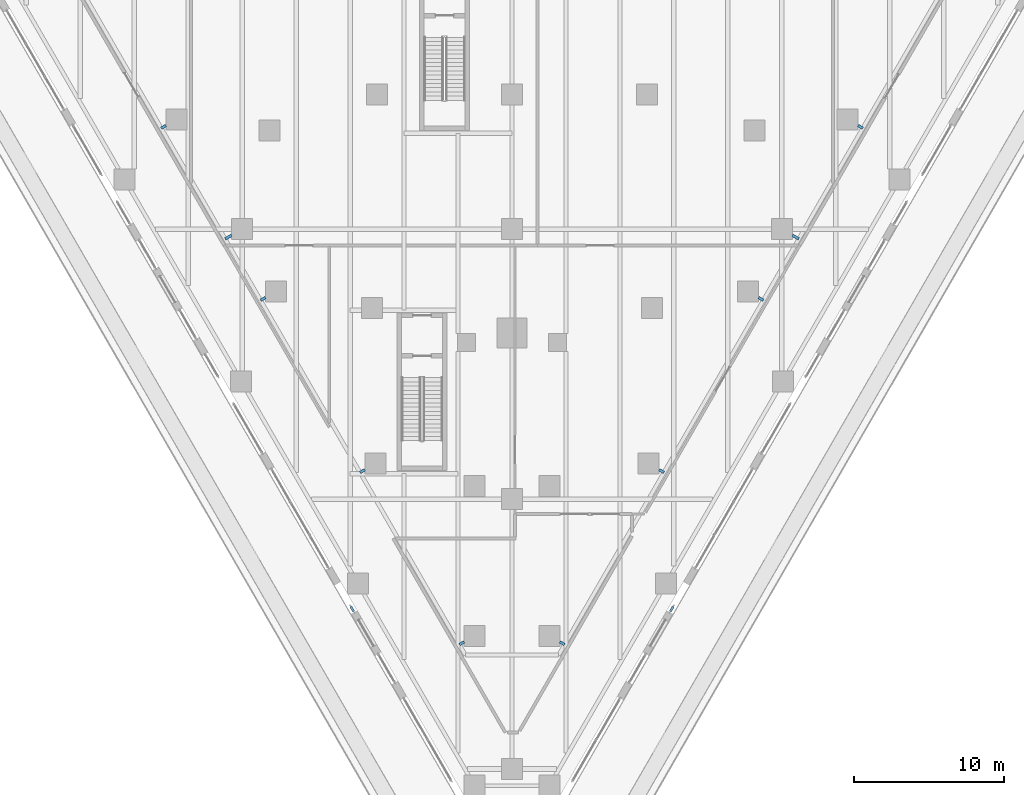
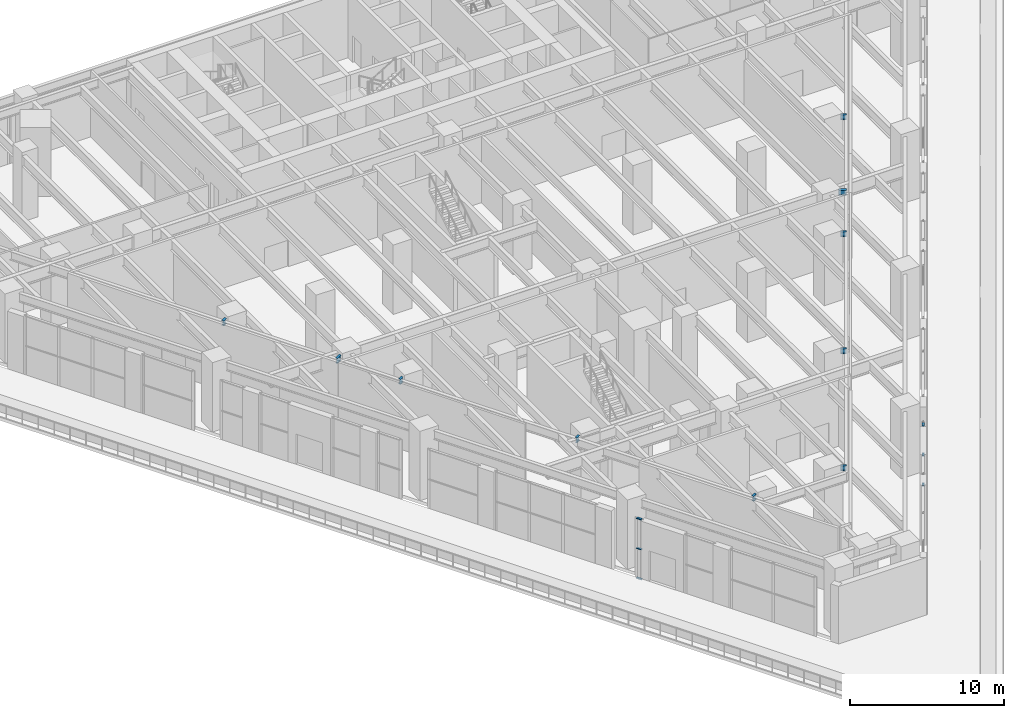
# One storey, part 14 of 30: 10 beams, 6 members, 2 elements without a shape of their own.
"""IFC4 building model written with IfcOpenShell, lengths in metres."""

from ifc_helpers import new_model, si_unit, direction, frame, origin, origin_2d, place, context, subcontext, project, spatial, rectangle, i_section, extrude, material, material_profile, profile_set, type_object, element, aggregate, save


model = new_model("IFC4")

# Units and contexts
model_context = context("Model", 3, precision=1e-05, world=origin(), true_north=direction((0.0, 1.0)))
body_context = subcontext(model_context, "Body", "Model", "MODEL_VIEW")
ifc_project = project(units=[si_unit("LENGTHUNIT", "METRE"), si_unit("AREAUNIT", "SQUARE_METRE"), si_unit("VOLUMEUNIT", "CUBIC_METRE"), si_unit("PLANEANGLEUNIT", "RADIAN"), si_unit("MASSUNIT", "GRAM", prefix="KILO")], contexts=[model_context])

# Site, building, storey
site_placement = place(None, origin())
site = spatial("IfcSite", under=ifc_project, at=site_placement, CompositionType="ELEMENT")
building_placement = place(site_placement, origin())
building = spatial("IfcBuilding", under=site, at=building_placement, Name="Aloe Facet Convention Tower", CompositionType="ELEMENT")
storey_placement = place(building_placement, frame((0.0, 0.0, 19.5)))
storey = spatial("IfcBuildingStorey", under=building, at=storey_placement, Name="L03", CompositionType="ELEMENT", Elevation=19.5)

# Beams
ifc_material_1 = material(Name="Steel S355", Category="steel")
ifc_material_profile_1 = material_profile(ifc_material_1, i_section(OverallWidth=0.177734375, OverallDepth=0.402587890625, WebThickness=0.0078125, FlangeThickness=0.010986328125, FilletRadius=0.01025390625, at=origin_2d()), Name="UB 406x178x54")
ifc_profile_set_1 = profile_set([ifc_material_profile_1], Name="Steel S355")
beam_type = type_object("IfcBeamType", Name="EV-BR-UB406x178x54", PredefinedType="BEAM", material=ifc_profile_set_1)
beam_1_placement = place(storey_placement, frame((61.300048828125, 98.595947265625, 5.048583984375), z_axis=(-0.865979437902, -0.500079606793, 0.0), x_axis=(0.500079606793, -0.865979437902, 0.0)))
element("IfcBeam", 1, at=beam_1_placement, inside=storey, type_object=beam_type, Name="EB-L04-W-BR01", PredefinedType="BEAM", context=body_context, shape_type="SweptSolid", body=[
    extrude(i_section(OverallWidth=0.177734375, OverallDepth=0.402587890625, WebThickness=0.0078125, FlangeThickness=0.010986328125, FilletRadius=0.01025390625, at=origin_2d()), origin(), (0.0, 0.0, 1.0), 0.4931640625),
])
beam_2_placement = place(storey_placement, frame((56.925048828125, 105.9208984375, 5.048583984375), z_axis=(-0.866063652425, -0.499933745558, 0.0), x_axis=(0.499933745558, -0.866063652425, 0.0)))
element("IfcBeam", 2, at=beam_2_placement, inside=storey, type_object=beam_type, Name="EB-L04-W-BR04", PredefinedType="BEAM", context=body_context, shape_type="SweptSolid", body=[
    extrude(i_section(OverallWidth=0.177734375, OverallDepth=0.402587890625, WebThickness=0.0078125, FlangeThickness=0.010986328125, FilletRadius=0.01025390625, at=origin_2d()), origin(), (0.0, 0.0, 1.0), 0.36669921875),
])
beam_3_placement = place(storey_placement, frame((63.552978515625, 94.44091796875, 5.048583984375), z_axis=(-0.865897129857, -0.500222111171, 0.0), x_axis=(0.500222111171, -0.865897129857, 0.0)))
element("IfcBeam", 3, at=beam_3_placement, inside=storey, type_object=beam_type, Name="EB-L04-W-BR05", PredefinedType="BEAM", context=body_context, shape_type="SweptSolid", body=[
    extrude(i_section(OverallWidth=0.177734375, OverallDepth=0.402587890625, WebThickness=0.0078125, FlangeThickness=0.010986328125, FilletRadius=0.01025390625, at=origin_2d()), origin(), (0.0, 0.0, 1.0), 0.366455078125),
])
beam_4_placement = place(storey_placement, frame((70.180908203125, 82.9619140625, 5.048583984375), z_axis=(-0.865941888956, -0.500144624036, 0.0), x_axis=(0.500144624036, -0.865941888956, 0.0)))
element("IfcBeam", 4, at=beam_4_placement, inside=storey, type_object=beam_type, Name="EB-L04-W-BR06", PredefinedType="BEAM", context=body_context, shape_type="SweptSolid", body=[
    extrude(i_section(OverallWidth=0.177734375, OverallDepth=0.402587890625, WebThickness=0.0078125, FlangeThickness=0.010986328125, FilletRadius=0.01025390625, at=origin_2d()), origin(), (0.0, 0.0, 1.0), 0.3671875),
])
beam_5_placement = place(storey_placement, frame((76.80810546875, 71.48193359375, 5.048583984375), z_axis=(-0.865897129857, -0.500222111171, 0.0), x_axis=(0.500222111171, -0.865897129857, 0.0)))
element("IfcBeam", 5, at=beam_5_placement, inside=storey, type_object=beam_type, Name="EB-L04-W-BR07", PredefinedType="BEAM", context=body_context, shape_type="SweptSolid", body=[
    extrude(i_section(OverallWidth=0.177734375, OverallDepth=0.402587890625, WebThickness=0.0078125, FlangeThickness=0.010986328125, FilletRadius=0.01025390625, at=origin_2d()), origin(), (0.0, 0.0, 1.0), 0.366455078125),
])
beam_6_placement = place(storey_placement, frame((98.699951171875, 98.595947265625, 5.048583984375), z_axis=(0.865979437902, -0.500079606793, 0.0), x_axis=(0.500079606793, 0.865979437902, 0.0)))
element("IfcBeam", 6, at=beam_6_placement, inside=storey, type_object=beam_type, Name="EB-L04-E-BR01", PredefinedType="BEAM", context=body_context, shape_type="SweptSolid", body=[
    extrude(i_section(OverallWidth=0.177734375, OverallDepth=0.402587890625, WebThickness=0.0078125, FlangeThickness=0.010986328125, FilletRadius=0.01025390625, at=origin_2d()), origin(), (0.0, 0.0, 1.0), 0.4931640625),
])
beam_7_placement = place(storey_placement, frame((103.074951171875, 105.9208984375, 5.048583984375), z_axis=(0.866063652425, -0.499933745558, 0.0), x_axis=(0.499933745558, 0.866063652425, 0.0)))
element("IfcBeam", 7, at=beam_7_placement, inside=storey, type_object=beam_type, Name="EB-L04-E-BR02", PredefinedType="BEAM", context=body_context, shape_type="SweptSolid", body=[
    extrude(i_section(OverallWidth=0.177734375, OverallDepth=0.402587890625, WebThickness=0.0078125, FlangeThickness=0.010986328125, FilletRadius=0.01025390625, at=origin_2d()), origin(), (0.0, 0.0, 1.0), 0.36669921875),
])
beam_8_placement = place(storey_placement, frame((83.19189453125, 71.48193359375, 5.048583984375), z_axis=(0.865897129857, -0.500222111171, 0.0), x_axis=(0.500222111171, 0.865897129857, 0.0)))
element("IfcBeam", 8, at=beam_8_placement, inside=storey, type_object=beam_type, Name="EB-L04-E-BR05", PredefinedType="BEAM", context=body_context, shape_type="SweptSolid", body=[
    extrude(i_section(OverallWidth=0.177734375, OverallDepth=0.402587890625, WebThickness=0.0078125, FlangeThickness=0.010986328125, FilletRadius=0.01025390625, at=origin_2d()), origin(), (0.0, 0.0, 1.0), 0.366455078125),
])
beam_9_placement = place(storey_placement, frame((89.819091796875, 82.9619140625, 5.048583984375), z_axis=(0.865941888956, -0.500144624036, 0.0), x_axis=(0.500144624036, 0.865941888956, 0.0)))
element("IfcBeam", 9, at=beam_9_placement, inside=storey, type_object=beam_type, Name="EB-L04-E-BR06", PredefinedType="BEAM", context=body_context, shape_type="SweptSolid", body=[
    extrude(i_section(OverallWidth=0.177734375, OverallDepth=0.402587890625, WebThickness=0.0078125, FlangeThickness=0.010986328125, FilletRadius=0.01025390625, at=origin_2d()), origin(), (0.0, 0.0, 1.0), 0.3671875),
])
beam_10_placement = place(storey_placement, frame((96.447021484375, 94.44091796875, 5.048583984375), z_axis=(0.865897129857, -0.500222111171, 0.0), x_axis=(0.500222111171, 0.865897129857, 0.0)))
element("IfcBeam", 10, at=beam_10_placement, inside=storey, type_object=beam_type, Name="EB-L04-E-BR07", PredefinedType="BEAM", context=body_context, shape_type="SweptSolid", body=[
    extrude(i_section(OverallWidth=0.177734375, OverallDepth=0.402587890625, WebThickness=0.0078125, FlangeThickness=0.010986328125, FilletRadius=0.01025390625, at=origin_2d()), origin(), (0.0, 0.0, 1.0), 0.366455078125),
])

# Curtain wall, members
ifc_material_2 = material(Name="Aluminium, anodised", Category="aluminium")
curtain_wall_type = type_object("IfcCurtainWallType", Name="EV-CW-HALL", PredefinedType="USERDEFINED", material=ifc_material_2)
curtain_wall_1_placement = place(storey_placement, origin())
curtain_wall_1 = element("IfcCurtainWall", 11, at=curtain_wall_1_placement, inside=storey, type_object=curtain_wall_type, Name="CW-L03-W16A", ObjectType="UNITISED HALL GLAZING", PredefinedType="USERDEFINED")
ifc_material_3 = material(Name="Aluminium, anodised", Category="aluminium")
ifc_material_profile_2 = material_profile(ifc_material_3, rectangle(XDim=0.159912109375, YDim=0.06494140625, at=origin_2d()), Name="AL 160x65")
ifc_profile_set_2 = profile_set([ifc_material_profile_2], Name="Aluminium, anodised")
member_type = type_object("IfcMemberType", Name="EV-TRAN-HALL", PredefinedType="USERDEFINED", material=ifc_profile_set_2)
member_1_placement = place(storey_placement, frame((69.2529296875, 73.8349609375, -0.217529296875), z_axis=(0.500299080274, -0.865852660836, 0.0), x_axis=(0.865852660836, 0.500299080274, 0.0)))
member_1 = element("IfcMember", 12, at=member_1_placement, type_object=member_type, Name="CW-L03-W16A transom 1.1", ObjectType="TRANSOM", PredefinedType="USERDEFINED", context=body_context, shape_type="SweptSolid", body=[
    extrude(rectangle(XDim=0.159912109375, YDim=0.06494140625, at=origin_2d()), origin(), (0.0, 0.0, 1.0), 0.378662109375),
])
member_2_placement = place(storey_placement, frame((69.2529296875, 73.8349609375, 2.15625), z_axis=(0.500299080274, -0.865852660836, 0.0), x_axis=(0.865852660836, 0.500299080274, 0.0)))
member_2 = element("IfcMember", 13, at=member_2_placement, type_object=member_type, Name="CW-L03-W16A transom 1.2", ObjectType="TRANSOM", PredefinedType="USERDEFINED", context=body_context, shape_type="SweptSolid", body=[
    extrude(rectangle(XDim=0.159912109375, YDim=0.06494140625, at=origin_2d()), origin(), (0.0, 0.0, 1.0), 0.378662109375),
])
member_3_placement = place(storey_placement, frame((69.2529296875, 73.8349609375, 4.530029296875), z_axis=(0.500299080274, -0.865852660836, 0.0), x_axis=(0.865852660836, 0.500299080274, 0.0)))
member_3 = element("IfcMember", 14, at=member_3_placement, type_object=member_type, Name="CW-L03-W16A transom 1.3", ObjectType="TRANSOM", PredefinedType="USERDEFINED", context=body_context, shape_type="SweptSolid", body=[
    extrude(rectangle(XDim=0.159912109375, YDim=0.06494140625, at=origin_2d()), origin(), (0.0, 0.0, 1.0), 0.378662109375),
])
aggregate(curtain_wall_1, [member_1, member_2, member_3])

curtain_wall_2_placement = place(storey_placement, origin())
curtain_wall_2 = element("IfcCurtainWall", 15, at=curtain_wall_2_placement, inside=storey, type_object=curtain_wall_type, Name="CW-L03-E04B", ObjectType="UNITISED HALL GLAZING", PredefinedType="USERDEFINED")
member_4_placement = place(storey_placement, frame((90.5576171875, 73.507080078125, -0.217529296875), z_axis=(0.500299080274, 0.865852660836, 0.0), x_axis=(-0.865852660836, 0.500299080274, 0.0)))
member_4 = element("IfcMember", 16, at=member_4_placement, type_object=member_type, Name="CW-L03-E04B transom 1.1", ObjectType="TRANSOM", PredefinedType="USERDEFINED", context=body_context, shape_type="SweptSolid", body=[
    extrude(rectangle(XDim=0.159912109375, YDim=0.06494140625, at=origin_2d()), origin(), (0.0, 0.0, 1.0), 0.378662109375),
])
member_5_placement = place(storey_placement, frame((90.5576171875, 73.507080078125, 2.15625), z_axis=(0.500299080274, 0.865852660836, 0.0), x_axis=(-0.865852660836, 0.500299080274, 0.0)))
member_5 = element("IfcMember", 17, at=member_5_placement, type_object=member_type, Name="CW-L03-E04B transom 1.2", ObjectType="TRANSOM", PredefinedType="USERDEFINED", context=body_context, shape_type="SweptSolid", body=[
    extrude(rectangle(XDim=0.159912109375, YDim=0.06494140625, at=origin_2d()), origin(), (0.0, 0.0, 1.0), 0.378662109375),
])
member_6_placement = place(storey_placement, frame((90.5576171875, 73.507080078125, 4.530029296875), z_axis=(0.500299080274, 0.865852660836, 0.0), x_axis=(-0.865852660836, 0.500299080274, 0.0)))
member_6 = element("IfcMember", 18, at=member_6_placement, type_object=member_type, Name="CW-L03-E04B transom 1.3", ObjectType="TRANSOM", PredefinedType="USERDEFINED", context=body_context, shape_type="SweptSolid", body=[
    extrude(rectangle(XDim=0.159912109375, YDim=0.06494140625, at=origin_2d()), origin(), (0.0, 0.0, 1.0), 0.378662109375),
])
aggregate(curtain_wall_2, [member_4, member_5, member_6])

save(model, "model.ifc")
